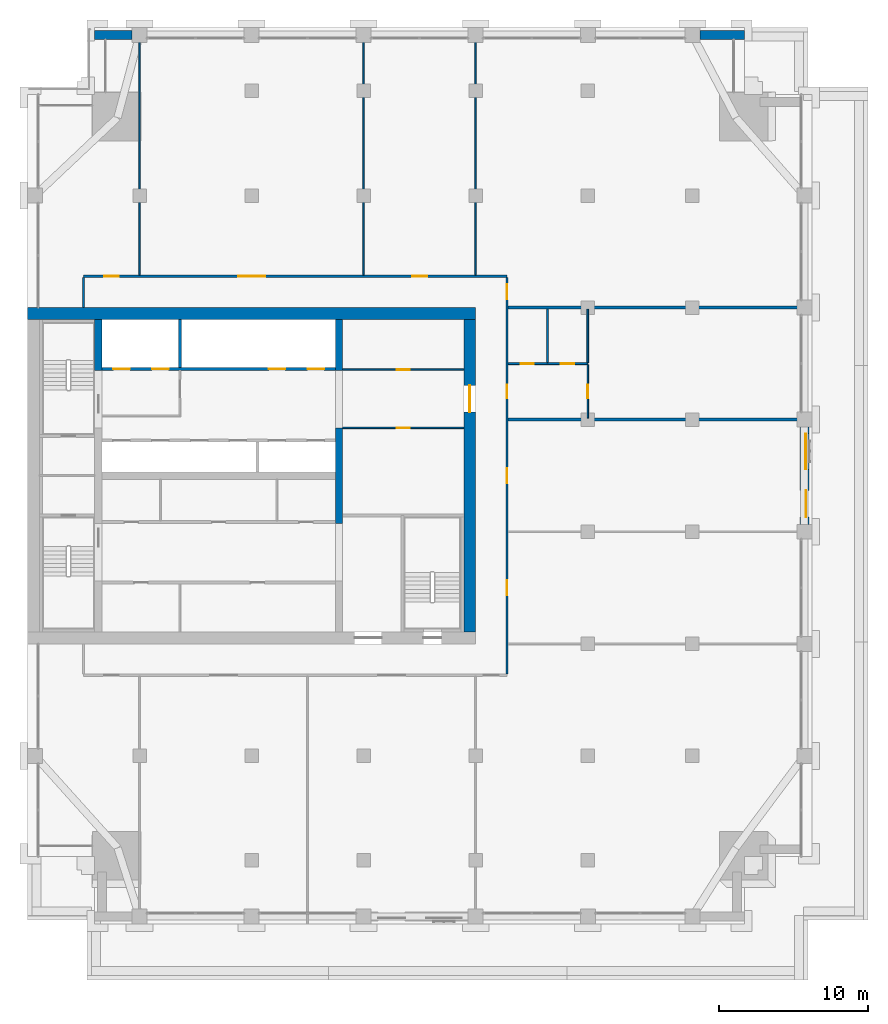
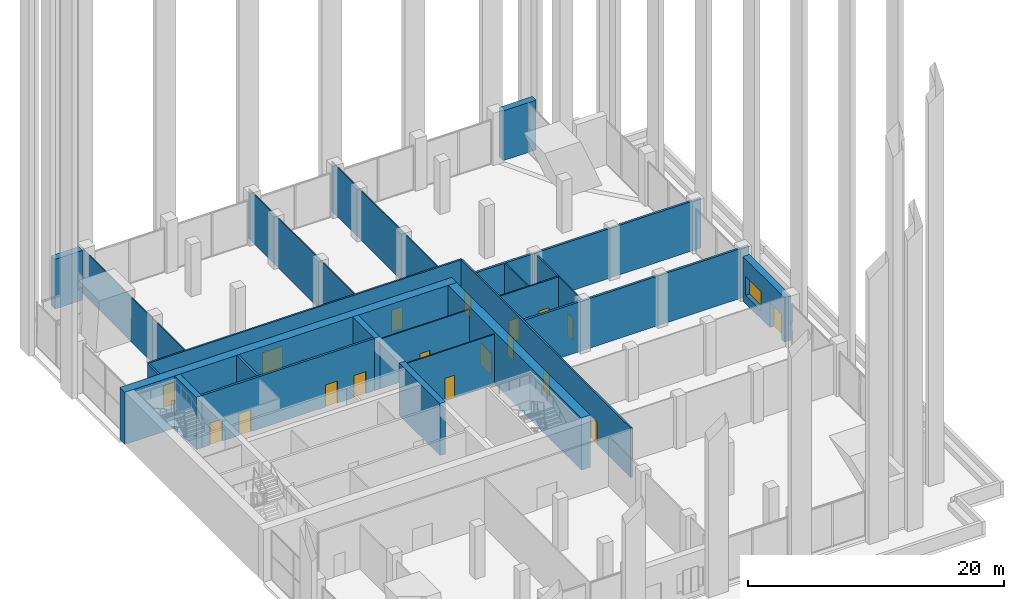
# One storey, part 12 of 19: 24 walls, 18 doors, 1 window, 19 openings.
"""IFC4 building model written with IfcOpenShell, lengths in metres."""

import ifcopenshell
import ifcopenshell.guid

model = None  # the IFC model being written
_history = None  # IfcOwnerHistory: only IFC2X3 demands one
_inside = {}  # id of a spatial element -> (the spatial element, [elements in it])
_under = {}  # id of a project, library or spatial element -> (it, [spatial elements below it])
_declared = {}  # id of a project -> (the project, [libraries it declares])
_typed = {}  # id of a type object -> (the type object, [elements of that type])
_made_of = {}  # id of a material, layer set ... -> (it, [elements and type objects made of it])


def new_model(schema):
    """Start an empty IFC model of exactly this schema.

    Asked for "IFC4X3", IfcOpenShell would pick the latest addendum, in which some entities
    have other attributes; the version numbers below select the first issue.
    IFC2X3 requires an IfcOwnerHistory on every rooted entity: one is made here for all.
    """
    global model, _history
    if schema == "IFC4X3":
        model = ifcopenshell.file(schema_version=(4, 3, 0, 0))
    else:
        model = ifcopenshell.file(schema=schema)
    _inside.clear()
    _under.clear()
    _declared.clear()
    _typed.clear()
    _made_of.clear()
    _history = None
    if model.schema == "IFC2X3":
        org = make("IfcOrganization", Name="unknown")
        user = make(
            "IfcPersonAndOrganization",
            ThePerson=make("IfcPerson", FamilyName="unknown"),
            TheOrganization=org,
        )
        app = make(
            "IfcApplication",
            ApplicationDeveloper=org,
            Version="unknown",
            ApplicationFullName="unknown",
            ApplicationIdentifier="unknown",
        )
        _history = make(
            "IfcOwnerHistory",
            OwningUser=user,
            OwningApplication=app,
            ChangeAction="ADDED",
            CreationDate=0,
        )
    return model


def make(cls, **values):
    """One entity of the class cls with the attributes given. An attribute that is None is left unset."""
    return model.create_entity(
        cls, **{name: value for name, value in values.items() if value is not None}
    )


def rooted(cls, **values):
    """An entity with a GlobalId (a new one), such as an element, a storey or a relation."""
    return make(cls, GlobalId=ifcopenshell.guid.new(), OwnerHistory=_history, **values)


def si_unit(unit_type, name, prefix=None):
    """IfcSIUnit, for example si_unit("LENGTHUNIT", "METRE", prefix="MILLI")."""
    return make("IfcSIUnit", UnitType=unit_type, Prefix=prefix, Name=name)


def assignment(units):
    """IfcUnitAssignment: the units of a project."""
    return None if units is None else make("IfcUnitAssignment", Units=units)


def point(xyz):
    """IfcCartesianPoint."""
    return None if xyz is None else make("IfcCartesianPoint", Coordinates=xyz)


def direction(xyz):
    """IfcDirection."""
    return None if xyz is None else make("IfcDirection", DirectionRatios=xyz)


def frame(location, z_axis=None, x_axis=None):
    """IfcAxis2Placement3D, a coordinate frame: its origin and axes. An axis left out is left unset."""
    return make(
        "IfcAxis2Placement3D",
        Location=point(location),
        Axis=direction(z_axis),
        RefDirection=direction(x_axis),
    )


def frame_2d(location, x_axis=None):
    """IfcAxis2Placement2D, a coordinate frame in the plane: its origin and x axis."""
    return make(
        "IfcAxis2Placement2D", Location=point(location), RefDirection=direction(x_axis)
    )


def origin():
    """The frame at (0, 0, 0) with its axes left unset."""
    return frame((0.0, 0.0, 0.0))


def place(relative_to, where):
    """IfcLocalPlacement: puts the frame where relative to a parent placement (None: the world)."""
    return make(
        "IfcLocalPlacement", PlacementRelTo=relative_to, RelativePlacement=where
    )


def context(
    kind, dimensions, precision=None, world=None, true_north=None, identifier=None
):
    """IfcGeometricRepresentationContext, for example the 3D "Model" context."""
    return make(
        "IfcGeometricRepresentationContext",
        ContextIdentifier=identifier,
        ContextType=kind,
        CoordinateSpaceDimension=dimensions,
        Precision=precision,
        WorldCoordinateSystem=world,
        TrueNorth=true_north,
    )


def subcontext(parent, identifier, kind, view, scale=None):
    """IfcGeometricRepresentationSubContext, for example "Body" below "Model"."""
    return make(
        "IfcGeometricRepresentationSubContext",
        ContextIdentifier=identifier,
        ContextType=kind,
        ParentContext=parent,
        TargetScale=scale,
        TargetView=view,
    )


def project(units=None, contexts=None):
    """IfcProject with its units and contexts."""
    return rooted(
        "IfcProject",
        Name="project",
        RepresentationContexts=contexts,
        UnitsInContext=assignment(units),
    )


def spatial(cls, under=None, at=None, **own):
    """A site, building, storey or space (cls), placed at a placement, below another one or the project."""
    s = rooted(cls, ObjectPlacement=at, **own)
    if under is not None:
        _under.setdefault(under.id(), (under, []))[1].append(s)
    return s


def profile(cls, at=None, kind="AREA", **sizes):
    """A parametric profile (cls). Its sizes go by their IFC names, for example OverallWidth=200.0."""
    return make(cls, ProfileType=kind, Position=at, **sizes)


def rectangle(**sizes):
    """IfcRectangleProfileDef."""
    return profile("IfcRectangleProfileDef", **sizes)


def extrude(swept, where, along, depth):
    """IfcExtrudedAreaSolid: the profile swept, set in the frame where, extruded along a direction by depth."""
    return make(
        "IfcExtrudedAreaSolid",
        SweptArea=swept,
        Position=where,
        ExtrudedDirection=direction(along),
        Depth=depth,
    )


def shape(context_of_items, identifier, shape_type, items):
    """IfcShapeRepresentation: the items that make up one representation, for example the "Body"."""
    return make(
        "IfcShapeRepresentation",
        ContextOfItems=context_of_items,
        RepresentationIdentifier=identifier,
        RepresentationType=shape_type,
        Items=items,
    )


def material(Name=None, Category=None):
    """IfcMaterial."""
    return make("IfcMaterial", Name=Name, Category=Category)


def layer(
    of_material, thickness, ventilated=None, Name=None, Category=None, Priority=None
):
    """IfcMaterialLayer: one layer of a wall or slab, of a material (None: an air gap)."""
    return make(
        "IfcMaterialLayer",
        Material=of_material,
        LayerThickness=thickness,
        IsVentilated=ventilated,
        Name=Name,
        Category=Category,
        Priority=Priority,
    )


def layer_set(layers, Name=None):
    """IfcMaterialLayerSet."""
    return make("IfcMaterialLayerSet", MaterialLayers=layers, LayerSetName=Name)


def made_of(thing, what):
    """Note that an element or type object is made of a material, layer set ...; save() writes the relation."""
    if what is not None:
        _made_of.setdefault(what.id(), (what, []))[1].append(thing)
    return thing


def type_object(cls, material=None, **own):
    """A type object (cls), such as IfcWallType, which elements share."""
    return made_of(rooted(cls, **own), material)


def element(
    cls,
    number,
    at=None,
    inside=None,
    cuts=None,
    type_object=None,
    material=None,
    context=None,
    identifier="Body",
    shape_type=None,
    held_by="IfcProductDefinitionShape",
    body=None,
    shapes=None,
    **own,
):
    """One element of the class cls, such as IfcWall. Its Tag is "e" and its number.

    at: its placement. inside: the storey or other place that contains it. cuts: it is an
    opening in that element (IfcRelVoidsElement). A single representation is given by context,
    identifier, shape_type and body (its items); several are given by shapes. held_by: the class
    of the entity that holds the representations. save() writes the other relations.
    """
    e = rooted(cls, Tag="e%d" % number, ObjectPlacement=at, **own)
    if body is not None:
        shapes = [shape(context, identifier, shape_type, body)]
    if shapes is not None:
        e.Representation = make(held_by, Representations=shapes)
    if inside is not None:
        _inside.setdefault(inside.id(), (inside, []))[1].append(e)
    if cuts is not None:
        rooted(
            "IfcRelVoidsElement", RelatingBuildingElement=cuts, RelatedOpeningElement=e
        )
    if type_object is not None:
        _typed.setdefault(type_object.id(), (type_object, []))[1].append(e)
    return made_of(e, material)


def fill(opening, filler):
    """IfcRelFillsElement: the door or window that sits in an opening."""
    return rooted(
        "IfcRelFillsElement",
        RelatingOpeningElement=opening,
        RelatedBuildingElement=filler,
    )


def aggregate(whole, parts):
    """IfcRelAggregates: a whole, such as a stair, and the parts it consists of."""
    return rooted("IfcRelAggregates", RelatingObject=whole, RelatedObjects=parts)


def save(model, path):
    """Write the relations noted so far, then the file.

    IfcRelAggregates (storeys below a building ...), IfcRelContainedInSpatialStructure (elements
    in a storey), IfcRelDefinesByType, IfcRelAssociatesMaterial and IfcRelDeclares: one each for
    every whole, place, type object, material and project.
    """
    for whole, parts in _under.values():
        aggregate(whole, parts)
    for where, things in _inside.values():
        rooted(
            "IfcRelContainedInSpatialStructure",
            RelatedElements=things,
            RelatingStructure=where,
        )
    for kind, things in _typed.values():
        rooted("IfcRelDefinesByType", RelatedObjects=things, RelatingType=kind)
    for what, things in _made_of.values():
        rooted("IfcRelAssociatesMaterial", RelatedObjects=things, RelatingMaterial=what)
    for by, libraries in _declared.values():
        rooted("IfcRelDeclares", RelatingContext=by, RelatedDefinitions=libraries)
    model.write(path)


model = new_model("IFC4")

# Units and contexts
model_context = context("Model", 3, precision=1e-05, world=origin(), true_north=direction((0.0, 1.0)))
body_context = subcontext(model_context, "Body", "Model", "MODEL_VIEW")
ifc_project = project(units=[si_unit("LENGTHUNIT", "METRE"), si_unit("AREAUNIT", "SQUARE_METRE"), si_unit("VOLUMEUNIT", "CUBIC_METRE"), si_unit("PLANEANGLEUNIT", "RADIAN"), si_unit("MASSUNIT", "GRAM", prefix="KILO")], contexts=[model_context])

# Site, building, storey
site_placement = place(None, origin())
site = spatial("IfcSite", under=ifc_project, at=site_placement, CompositionType="ELEMENT")
building_placement = place(site_placement, origin())
building = spatial("IfcBuilding", under=site, at=building_placement, Name="Tamorin Gate", CompositionType="ELEMENT")
storey_placement = place(building_placement, frame((0.0, 0.0, 174.199951171875)))
storey = spatial("IfcBuildingStorey", under=building, at=storey_placement, Name="L42", CompositionType="ELEMENT", Elevation=174.199951171875)

# Wall, openings, window, door
ifc_material_1 = material(Name="Precast concrete C40/50", Category="concrete")
ifc_layer_1 = layer(ifc_material_1, 0.60009765625)
ifc_layer_set_1 = layer_set([ifc_layer_1], Name="Precast concrete C40/50")
wall_type_1 = type_object("IfcWallType", Name="Board-marked concrete facade panel 600", PredefinedType="SOLIDWALL", material=ifc_layer_set_1)
wall_1_placement = place(storey_placement, frame((82.0, 68.0, 0.0), z_axis=(0.0, 0.0, 1.0), x_axis=(0.0, 1.0, 0.0)))
wall_1 = element("IfcWall", 1, at=wall_1_placement, inside=storey, type_object=wall_type_1, Name="Facade panel", PredefinedType="SOLIDWALL", context=body_context, shape_type="SweptSolid", body=[
    extrude(rectangle(XDim=6.5, YDim=0.60009765625, at=frame_2d((3.25, 0.0))), origin(), (0.0, 0.0, 1.0), 4.25),
])
opening_1_placement = place(wall_1_placement, frame((0.47509765625, 0.0, 0.0)))
opening_1 = element("IfcOpeningElement", 2, at=opening_1_placement, cuts=wall_1, Name="Opening DX1", PredefinedType="OPENING", context=body_context, shape_type="SweptSolid", body=[
    extrude(rectangle(XDim=1.800048828125, YDim=2.39990234375, at=frame_2d((0.89990234375, 1.199951171875))), frame((0.0, 0.31005859375, 0.0), z_axis=(0.0, -1.0, 0.0), x_axis=(1.0, 0.0, 0.0)), (0.0, 0.0, 1.0), 0.6201171875),
])
opening_2_placement = place(wall_1_placement, frame((3.675048828125, 0.0, 0.800048828125)))
opening_2 = element("IfcOpeningElement", 3, at=opening_2_placement, cuts=wall_1, Name="Opening WN1", PredefinedType="OPENING", context=body_context, shape_type="SweptSolid", body=[
    extrude(rectangle(XDim=2.39990234375, YDim=1.800048828125, at=frame_2d((1.199951171875, 0.89990234375))), frame((0.0, 0.31005859375, 0.0), z_axis=(0.0, -1.0, 0.0), x_axis=(1.0, 0.0, 0.0)), (0.0, 0.0, 1.0), 0.6201171875),
])
ifc_material_2 = material(Name="Clear glass in aluminium frame", Category="aluminium")
window_type = type_object("IfcWindowType", Name="Deep-set window 2400x1800", PartitioningType="SINGLE_PANEL", PredefinedType="WINDOW", material=ifc_material_2)
window_placement = place(opening_2_placement, origin())
window = element("IfcWindow", 4, at=window_placement, inside=storey, type_object=window_type, Name="Deep-set window", OverallHeight=1.800048828125, OverallWidth=2.39990234375, PartitioningType="SINGLE_PANEL", PredefinedType="WINDOW", context=body_context, shape_type="SweptSolid", body=[
    extrude(rectangle(XDim=2.39990234375, YDim=1.800048828125, at=frame_2d((1.199951171875, 0.89990234375))), frame((0.0, -0.070068359375, 0.0), z_axis=(0.0, -1.0, 0.0), x_axis=(1.0, 0.0, 0.0)), (0.0, 0.0, 1.0), 0.06005859375),
])
fill(opening_2, window)
door_type_1 = type_object("IfcDoorType", Name="Terrace door 1800x2400", OperationType="DOUBLE_DOOR_SINGLE_SWING", PredefinedType="DOOR", material=ifc_material_2)
door_1_placement = place(opening_1_placement, origin())
door_1 = element("IfcDoor", 5, at=door_1_placement, inside=storey, type_object=door_type_1, Name="Terrace door", OperationType="SINGLE_SWING_LEFT", OverallHeight=2.39990234375, OverallWidth=1.800048828125, PredefinedType="DOOR", context=body_context, shape_type="SweptSolid", body=[
    extrude(rectangle(XDim=1.800048828125, YDim=2.39990234375, at=frame_2d((0.89990234375, 1.199951171875))), frame((0.0, -0.0751953125, 0.0), z_axis=(0.0, -1.0, 0.0), x_axis=(1.0, 0.0, 0.0)), (0.0, 0.0, 1.0), 0.050048828125),
])
fill(opening_1, door_1)

# Walls
wall_2_placement = place(storey_placement, frame((78.0, 100.75, 0.0), z_axis=(0.0, 0.0, 1.0), x_axis=(-1.0, 0.0, 0.0)))
element("IfcWall", 6, at=wall_2_placement, inside=storey, type_object=wall_type_1, Name="Facade panel", PredefinedType="SOLIDWALL", context=body_context, shape_type="SweptSolid", body=[
    extrude(rectangle(XDim=3.0, YDim=0.60009765625, at=frame_2d((1.5, 0.0))), origin(), (0.0, 0.0, 1.0), 4.75),
])
wall_3_placement = place(storey_placement, frame((37.0, 100.75, 0.0), z_axis=(0.0, 0.0, 1.0), x_axis=(-1.0, 0.0, 0.0)))
element("IfcWall", 7, at=wall_3_placement, inside=storey, type_object=wall_type_1, Name="Facade panel", PredefinedType="SOLIDWALL", context=body_context, shape_type="SweptSolid", body=[
    extrude(rectangle(XDim=2.5, YDim=0.60009765625, at=frame_2d((1.25, 0.0))), origin(), (0.0, 0.0, 1.0), 4.75),
])

# Wall, openings, doors
ifc_material_3 = material(Name="Gypsum board partition")
ifc_layer_2 = layer(ifc_material_3, 0.14990234375)
ifc_layer_set_2 = layer_set([ifc_layer_2], Name="Corridor wall 150")
wall_type_2 = type_object("IfcWallType", Name="Corridor wall 150", PredefinedType="PARTITIONING", material=ifc_layer_set_2)
wall_4_placement = place(storey_placement, frame((33.75, 84.60009765625, 0.0), z_axis=(0.0, 0.0, 1.0), x_axis=(1.0, 0.0, 0.0)))
wall_4 = element("IfcWall", 8, at=wall_4_placement, inside=storey, type_object=wall_type_2, Name="Corridor wall 150", PredefinedType="PARTITIONING", context=body_context, shape_type="SweptSolid", body=[
    extrude(rectangle(XDim=28.35009765625, YDim=0.14990234375, at=frame_2d((14.175048828125, 0.0))), origin(), (0.0, 0.0, 1.0), 4.75),
])
opening_3_placement = place(wall_4_placement, frame((1.375, 0.0, 0.0)))
opening_3 = element("IfcOpeningElement", 9, at=opening_3_placement, cuts=wall_4, Name="Opening DRS1005", PredefinedType="OPENING", context=body_context, shape_type="SweptSolid", body=[
    extrude(rectangle(XDim=1.0, YDim=2.10009765625, at=frame_2d((0.5, 1.050048828125))), frame((0.0, 0.0849609375, 0.0), z_axis=(0.0, -1.0, 0.0), x_axis=(1.0, 0.0, 0.0)), (0.0, 0.0, 1.0), 0.169921875),
])
opening_4_placement = place(wall_4_placement, frame((10.35009765625, 0.0, 0.0)))
opening_4 = element("IfcOpeningElement", 10, at=opening_4_placement, cuts=wall_4, Name="Opening DRS1006", PredefinedType="OPENING", context=body_context, shape_type="SweptSolid", body=[
    extrude(rectangle(XDim=1.800048828125, YDim=2.10009765625, at=frame_2d((0.89990234375, 1.050048828125))), frame((0.0, 0.0849609375, 0.0), z_axis=(0.0, -1.0, 0.0), x_axis=(1.0, 0.0, 0.0)), (0.0, 0.0, 1.0), 0.169921875),
])
opening_5_placement = place(wall_4_placement, frame((22.0, 0.0, 0.0)))
opening_5 = element("IfcOpeningElement", 11, at=opening_5_placement, cuts=wall_4, Name="Opening DRS1007", PredefinedType="OPENING", context=body_context, shape_type="SweptSolid", body=[
    extrude(rectangle(XDim=1.0, YDim=2.10009765625, at=frame_2d((0.5, 1.050048828125))), frame((0.0, 0.0849609375, 0.0), z_axis=(0.0, -1.0, 0.0), x_axis=(1.0, 0.0, 0.0)), (0.0, 0.0, 1.0), 0.169921875),
])
ifc_material_4 = material(Name="Timber door leaf", Category="wood")
door_type_2 = type_object("IfcDoorType", Name="Door 1000 x 2100 FD30S", OperationType="NOTDEFINED", PredefinedType="DOOR", material=ifc_material_4)
door_2_placement = place(opening_3_placement, origin())
door_2 = element("IfcDoor", 12, at=door_2_placement, inside=storey, type_object=door_type_2, Name="Door DRS1005", OperationType="SINGLE_SWING_LEFT", OverallHeight=2.10009765625, OverallWidth=1.0, PredefinedType="DOOR", context=body_context, shape_type="SweptSolid", body=[
    extrude(rectangle(XDim=1.0, YDim=2.10009765625, at=frame_2d((0.5, 1.050048828125))), frame((0.0, 0.02490234375, 0.0), z_axis=(0.0, -1.0, 0.0), x_axis=(1.0, 0.0, 0.0)), (0.0, 0.0, 1.0), 0.050048828125),
])
fill(opening_3, door_2)
door_3_placement = place(opening_5_placement, origin())
door_3 = element("IfcDoor", 13, at=door_3_placement, inside=storey, type_object=door_type_2, Name="Door DRS1007", OperationType="SINGLE_SWING_LEFT", OverallHeight=2.10009765625, OverallWidth=1.0, PredefinedType="DOOR", context=body_context, shape_type="SweptSolid", body=[
    extrude(rectangle(XDim=1.0, YDim=2.10009765625, at=frame_2d((0.5, 1.050048828125))), frame((0.0, 0.02490234375, 0.0), z_axis=(0.0, -1.0, 0.0), x_axis=(1.0, 0.0, 0.0)), (0.0, 0.0, 1.0), 0.050048828125),
])
fill(opening_5, door_3)
door_type_3 = type_object("IfcDoorType", Name="Door 1800 x 2100 FD30S", OperationType="DOUBLE_DOOR_SINGLE_SWING", PredefinedType="DOOR", material=ifc_material_4)
door_4_placement = place(opening_4_placement, origin())
door_4 = element("IfcDoor", 14, at=door_4_placement, inside=storey, type_object=door_type_3, Name="Door DRS1006", OperationType="DOUBLE_DOOR_SINGLE_SWING", OverallHeight=2.10009765625, OverallWidth=1.800048828125, PredefinedType="DOOR", context=body_context, shape_type="SweptSolid", body=[
    extrude(rectangle(XDim=1.800048828125, YDim=2.10009765625, at=frame_2d((0.89990234375, 1.050048828125))), frame((0.0, 0.02490234375, 0.0), z_axis=(0.0, -1.0, 0.0), x_axis=(1.0, 0.0, 0.0)), (0.0, 0.0, 1.0), 0.050048828125),
])
fill(opening_4, door_4)

# Wall
wall_5_placement = place(storey_placement, frame((33.75, 82.5, 0.0), z_axis=(0.0, 0.0, 1.0), x_axis=(0.0, 1.0, 0.0)))
element("IfcWall", 15, at=wall_5_placement, inside=storey, type_object=wall_type_2, Name="Corridor wall 150", PredefinedType="PARTITIONING", context=body_context, shape_type="SweptSolid", body=[
    extrude(rectangle(XDim=2.02490234375, YDim=0.14990234375, at=frame_2d((1.012451171875, 0.0))), origin(), (0.0, 0.0, 1.0), 4.75),
])

# Wall, openings, doors
wall_6_placement = place(storey_placement, frame((62.10009765625, 57.97509765625, 0.0), z_axis=(0.0, 0.0, 1.0), x_axis=(0.0, 1.0, 0.0)))
wall_6 = element("IfcWall", 16, at=wall_6_placement, inside=storey, type_object=wall_type_2, Name="Corridor wall 150", PredefinedType="PARTITIONING", context=body_context, shape_type="SweptSolid", body=[
    extrude(rectangle(XDim=26.5498046875, YDim=0.14990234375, at=frame_2d((13.27490234375, 0.0))), origin(), (0.0, 0.0, 1.0), 4.75),
])
opening_6_placement = place(wall_6_placement, frame((25.074951171875, 0.0, 0.0)))
opening_6 = element("IfcOpeningElement", 17, at=opening_6_placement, cuts=wall_6, Name="Opening DRS1008", PredefinedType="OPENING", context=body_context, shape_type="SweptSolid", body=[
    extrude(rectangle(XDim=1.0, YDim=2.10009765625, at=frame_2d((0.5, 1.050048828125))), frame((0.0, 0.0849609375, 0.0), z_axis=(0.0, -1.0, 0.0), x_axis=(1.0, 0.0, 0.0)), (0.0, 0.0, 1.0), 0.169921875),
])
opening_7_placement = place(wall_6_placement, frame((5.27490234375, 0.0, 0.0)))
opening_7 = element("IfcOpeningElement", 18, at=opening_7_placement, cuts=wall_6, Name="Opening DRS1009", PredefinedType="OPENING", context=body_context, shape_type="SweptSolid", body=[
    extrude(rectangle(XDim=1.0, YDim=2.10009765625, at=frame_2d((0.5, 1.050048828125))), frame((0.0, 0.0849609375, 0.0), z_axis=(0.0, -1.0, 0.0), x_axis=(1.0, 0.0, 0.0)), (0.0, 0.0, 1.0), 0.169921875),
])
opening_8_placement = place(wall_6_placement, frame((12.77490234375, 0.0, 0.0)))
opening_8 = element("IfcOpeningElement", 19, at=opening_8_placement, cuts=wall_6, Name="Opening DRS1010", PredefinedType="OPENING", context=body_context, shape_type="SweptSolid", body=[
    extrude(rectangle(XDim=1.0, YDim=2.10009765625, at=frame_2d((0.5, 1.050048828125))), frame((0.0, 0.0849609375, 0.0), z_axis=(0.0, -1.0, 0.0), x_axis=(1.0, 0.0, 0.0)), (0.0, 0.0, 1.0), 0.169921875),
])
opening_9_placement = place(wall_6_placement, frame((18.449951171875, 0.0, 0.0)))
opening_9 = element("IfcOpeningElement", 20, at=opening_9_placement, cuts=wall_6, Name="Opening DRS1011", PredefinedType="OPENING", context=body_context, shape_type="SweptSolid", body=[
    extrude(rectangle(XDim=0.89990234375, YDim=2.10009765625, at=frame_2d((0.449951171875, 1.050048828125))), frame((0.0, 0.0849609375, 0.0), z_axis=(0.0, -1.0, 0.0), x_axis=(1.0, 0.0, 0.0)), (0.0, 0.0, 1.0), 0.169921875),
])
door_5_placement = place(opening_6_placement, origin())
door_5 = element("IfcDoor", 21, at=door_5_placement, inside=storey, type_object=door_type_2, Name="Door DRS1008", OperationType="SINGLE_SWING_RIGHT", OverallHeight=2.10009765625, OverallWidth=1.0, PredefinedType="DOOR", context=body_context, shape_type="SweptSolid", body=[
    extrude(rectangle(XDim=1.0, YDim=2.10009765625, at=frame_2d((0.5, 1.050048828125))), frame((0.0, 0.02490234375, 0.0), z_axis=(0.0, -1.0, 0.0), x_axis=(1.0, 0.0, 0.0)), (0.0, 0.0, 1.0), 0.050048828125),
])
fill(opening_6, door_5)
door_6_placement = place(opening_7_placement, origin())
door_6 = element("IfcDoor", 22, at=door_6_placement, inside=storey, type_object=door_type_2, Name="Door DRS1009", OperationType="SINGLE_SWING_RIGHT", OverallHeight=2.10009765625, OverallWidth=1.0, PredefinedType="DOOR", context=body_context, shape_type="SweptSolid", body=[
    extrude(rectangle(XDim=1.0, YDim=2.10009765625, at=frame_2d((0.5, 1.050048828125))), frame((0.0, 0.02490234375, 0.0), z_axis=(0.0, -1.0, 0.0), x_axis=(1.0, 0.0, 0.0)), (0.0, 0.0, 1.0), 0.050048828125),
])
fill(opening_7, door_6)
door_7_placement = place(opening_8_placement, origin())
door_7 = element("IfcDoor", 23, at=door_7_placement, inside=storey, type_object=door_type_2, Name="Door DRS1010", OperationType="SINGLE_SWING_RIGHT", OverallHeight=2.10009765625, OverallWidth=1.0, PredefinedType="DOOR", context=body_context, shape_type="SweptSolid", body=[
    extrude(rectangle(XDim=1.0, YDim=2.10009765625, at=frame_2d((0.5, 1.050048828125))), frame((0.0, 0.02490234375, 0.0), z_axis=(0.0, -1.0, 0.0), x_axis=(1.0, 0.0, 0.0)), (0.0, 0.0, 1.0), 0.050048828125),
])
fill(opening_8, door_7)
door_type_4 = type_object("IfcDoorType", Name="Door 900 x 2100 FD30S", OperationType="NOTDEFINED", PredefinedType="DOOR", material=ifc_material_4)
door_8_placement = place(opening_9_placement, origin())
door_8 = element("IfcDoor", 24, at=door_8_placement, inside=storey, type_object=door_type_4, Name="Door DRS1011", OperationType="SINGLE_SWING_RIGHT", OverallHeight=2.10009765625, OverallWidth=0.89990234375, PredefinedType="DOOR", context=body_context, shape_type="SweptSolid", body=[
    extrude(rectangle(XDim=0.89990234375, YDim=2.10009765625, at=frame_2d((0.449951171875, 1.050048828125))), frame((0.0, 0.02490234375, 0.0), z_axis=(0.0, -1.0, 0.0), x_axis=(1.0, 0.0, 0.0)), (0.0, 0.0, 1.0), 0.050048828125),
])
fill(opening_9, door_8)

# Walls
ifc_layer_3 = layer(ifc_material_3, 0.199951171875)
ifc_layer_set_3 = layer_set([ifc_layer_3], Name="Demising wall 200")
wall_type_3 = type_object("IfcWallType", Name="Demising wall 200", PredefinedType="PARTITIONING", material=ifc_layer_set_3)
for number, where, z_axis, x_axis, name in (
    (25, (62.175048828125, 75.0, 0.0), (0.0, 0.0, 1.0), (1.0, 0.0, 0.0), "Demising wall 200"),
    (26, (62.175048828125, 82.5, 0.0), (0.0, 0.0, 1.0), (1.0, 0.0, 0.0), "Demising wall 200"),
):
    element("IfcWall", number, at=place(storey_placement, frame(where, z_axis=z_axis, x_axis=x_axis)), inside=storey, type_object=wall_type_3, Name=name, PredefinedType="PARTITIONING", context=body_context, shape_type="SweptSolid", body=[
        extrude(rectangle(XDim=20.324951171875, YDim=0.199951171875, at=frame_2d((10.16259765625, 0.0))), origin(), (0.0, 0.0, 1.0), 4.75),
    ])

# Wall, openings, doors
ifc_material_5 = material(Name="Concrete C32/40", Category="concrete")
ifc_layer_4 = layer(ifc_material_5, 0.199951171875)
ifc_layer_set_4 = layer_set([ifc_layer_4], Name="Lift lobby face wall 200 EI 120")
wall_type_4 = type_object("IfcWallType", Name="Lift lobby face wall 200 EI 120", PredefinedType="SOLIDWALL", material=ifc_layer_set_4)
wall_7_placement = place(storey_placement, frame((35.0, 78.39990234375, 0.0), z_axis=(0.0, 0.0, 1.0), x_axis=(1.0, 0.0, 0.0)))
wall_7 = element("IfcWall", 27, at=wall_7_placement, inside=storey, type_object=wall_type_4, Name="Lift lobby face wall", PredefinedType="SOLIDWALL", context=body_context, shape_type="SweptSolid", body=[
    extrude(rectangle(XDim=15.60009765625, YDim=0.199951171875, at=frame_2d((7.800048828125, 0.0))), origin(), (0.0, 0.0, 1.0), 5.0),
])
opening_10_placement = place(wall_7_placement, frame((0.75, 0.0, 0.0)))
opening_10 = element("IfcOpeningElement", 28, at=opening_10_placement, cuts=wall_7, Name="Opening LD17", PredefinedType="OPENING", context=body_context, shape_type="SweptSolid", body=[
    extrude(rectangle(XDim=1.10009765625, YDim=2.10009765625, at=frame_2d((0.550048828125, 1.050048828125))), frame((0.0, 0.10986328125, 0.0), z_axis=(0.0, -1.0, 0.0), x_axis=(1.0, 0.0, 0.0)), (0.0, 0.0, 1.0), 0.219970703125),
])
opening_11_placement = place(wall_7_placement, frame((3.35009765625, 0.0, 0.0)))
opening_11 = element("IfcOpeningElement", 29, at=opening_11_placement, cuts=wall_7, Name="Opening LD18", PredefinedType="OPENING", context=body_context, shape_type="SweptSolid", body=[
    extrude(rectangle(XDim=1.10009765625, YDim=2.10009765625, at=frame_2d((0.550048828125, 1.050048828125))), frame((0.0, 0.10986328125, 0.0), z_axis=(0.0, -1.0, 0.0), x_axis=(1.0, 0.0, 0.0)), (0.0, 0.0, 1.0), 0.219970703125),
])
opening_12_placement = place(wall_7_placement, frame((11.14990234375, 0.0, 0.0)))
opening_12 = element("IfcOpeningElement", 30, at=opening_12_placement, cuts=wall_7, Name="Opening LD21", PredefinedType="OPENING", context=body_context, shape_type="SweptSolid", body=[
    extrude(rectangle(XDim=1.10009765625, YDim=2.10009765625, at=frame_2d((0.550048828125, 1.050048828125))), frame((0.0, 0.10986328125, 0.0), z_axis=(0.0, -1.0, 0.0), x_axis=(1.0, 0.0, 0.0)), (0.0, 0.0, 1.0), 0.219970703125),
])
opening_13_placement = place(wall_7_placement, frame((13.75, 0.0, 0.0)))
opening_13 = element("IfcOpeningElement", 31, at=opening_13_placement, cuts=wall_7, Name="Opening LD22", PredefinedType="OPENING", context=body_context, shape_type="SweptSolid", body=[
    extrude(rectangle(XDim=1.10009765625, YDim=2.10009765625, at=frame_2d((0.550048828125, 1.050048828125))), frame((0.0, 0.10986328125, 0.0), z_axis=(0.0, -1.0, 0.0), x_axis=(1.0, 0.0, 0.0)), (0.0, 0.0, 1.0), 0.219970703125),
])
ifc_material_6 = material(Name="Stainless steel sliding door", Category="steel")
door_type_5 = type_object("IfcDoorType", Name="Lift landing door 1100 x 2100 E 90", OperationType="DOUBLE_DOOR_SLIDING", PredefinedType="DOOR", material=ifc_material_6)
door_9_placement = place(opening_10_placement, origin())
door_9 = element("IfcDoor", 32, at=door_9_placement, inside=storey, type_object=door_type_5, Name="FF1 landing door", OperationType="DOUBLE_DOOR_SLIDING", OverallHeight=2.10009765625, OverallWidth=1.10009765625, PredefinedType="DOOR", context=body_context, shape_type="SweptSolid", body=[
    extrude(rectangle(XDim=1.10009765625, YDim=2.10009765625, at=frame_2d((0.550048828125, 1.050048828125))), frame((0.0, 0.02490234375, 0.0), z_axis=(0.0, -1.0, 0.0), x_axis=(1.0, 0.0, 0.0)), (0.0, 0.0, 1.0), 0.050048828125),
])
fill(opening_10, door_9)
door_10_placement = place(opening_11_placement, origin())
door_10 = element("IfcDoor", 33, at=door_10_placement, inside=storey, type_object=door_type_5, Name="FF2 landing door", OperationType="DOUBLE_DOOR_SLIDING", OverallHeight=2.10009765625, OverallWidth=1.10009765625, PredefinedType="DOOR", context=body_context, shape_type="SweptSolid", body=[
    extrude(rectangle(XDim=1.10009765625, YDim=2.10009765625, at=frame_2d((0.550048828125, 1.050048828125))), frame((0.0, 0.02490234375, 0.0), z_axis=(0.0, -1.0, 0.0), x_axis=(1.0, 0.0, 0.0)), (0.0, 0.0, 1.0), 0.050048828125),
])
fill(opening_11, door_10)
door_11_placement = place(opening_12_placement, origin())
door_11 = element("IfcDoor", 34, at=door_11_placement, inside=storey, type_object=door_type_5, Name="SV1 landing door", OperationType="DOUBLE_DOOR_SLIDING", OverallHeight=2.10009765625, OverallWidth=1.10009765625, PredefinedType="DOOR", context=body_context, shape_type="SweptSolid", body=[
    extrude(rectangle(XDim=1.10009765625, YDim=2.10009765625, at=frame_2d((0.550048828125, 1.050048828125))), frame((0.0, 0.02490234375, 0.0), z_axis=(0.0, -1.0, 0.0), x_axis=(1.0, 0.0, 0.0)), (0.0, 0.0, 1.0), 0.050048828125),
])
fill(opening_12, door_11)
door_12_placement = place(opening_13_placement, origin())
door_12 = element("IfcDoor", 35, at=door_12_placement, inside=storey, type_object=door_type_5, Name="SV2 landing door", OperationType="DOUBLE_DOOR_SLIDING", OverallHeight=2.10009765625, OverallWidth=1.10009765625, PredefinedType="DOOR", context=body_context, shape_type="SweptSolid", body=[
    extrude(rectangle(XDim=1.10009765625, YDim=2.10009765625, at=frame_2d((0.550048828125, 1.050048828125))), frame((0.0, 0.02490234375, 0.0), z_axis=(0.0, -1.0, 0.0), x_axis=(1.0, 0.0, 0.0)), (0.0, 0.0, 1.0), 0.050048828125),
])
fill(opening_13, door_12)

# Walls
ifc_layer_5 = layer(ifc_material_5, 0.199951171875)
ifc_layer_set_5 = layer_set([ifc_layer_5], Name="Lift shaft wall 200 EI 120")
wall_type_5 = type_object("IfcWallType", Name="Lift shaft wall 200 EI 120", PredefinedType="SOLIDWALL", material=ifc_layer_set_5)
wall_8_placement = place(storey_placement, frame((40.199951171875, 78.5, 0.0), z_axis=(0.0, 0.0, 1.0), x_axis=(0.0, 1.0, 0.0)))
element("IfcWall", 36, at=wall_8_placement, inside=storey, type_object=wall_type_5, Name="Lift shaft wall", PredefinedType="SOLIDWALL", context=body_context, shape_type="SweptSolid", body=[
    extrude(rectangle(XDim=3.199951171875, YDim=0.199951171875, at=frame_2d((1.60009765625, 0.0))), origin(), (0.0, 0.0, 1.0), 5.0),
])
ifc_material_7 = material(Name="Concrete C60/75", Category="concrete")
ifc_layer_6 = layer(ifc_material_7, 0.5)
ifc_layer_set_6 = layer_set([ifc_layer_6], Name="RC core internal wall 500 C60/75")
wall_type_6 = type_object("IfcWallType", Name="RC core internal wall 500 C60/75", PredefinedType="SHEAR", material=ifc_layer_set_6)
wall_9_placement = place(storey_placement, frame((34.75, 78.300048828125, 0.0), z_axis=(0.0, 0.0, 1.0), x_axis=(0.0, 1.0, 0.0)))
element("IfcWall", 37, at=wall_9_placement, inside=storey, type_object=wall_type_6, Name="Core cross wall L42", PredefinedType="SHEAR", context=body_context, shape_type="SweptSolid", body=[
    extrude(rectangle(XDim=3.39990234375, YDim=0.5, at=frame_2d((1.699951171875, 0.0))), origin(), (0.0, 0.0, 1.0), 5.0),
])
wall_10_placement = place(storey_placement, frame((50.85009765625, 68.050048828125, 0.0), z_axis=(0.0, 0.0, 1.0), x_axis=(0.0, 1.0, 0.0)))
element("IfcWall", 38, at=wall_10_placement, inside=storey, type_object=wall_type_6, Name="Core cross wall L42", PredefinedType="SHEAR", context=body_context, shape_type="SweptSolid", body=[
    extrude(rectangle(XDim=6.39990234375, YDim=0.5, at=frame_2d((3.199951171875, 0.0))), origin(), (0.0, 0.0, 1.0), 5.0),
])
wall_11_placement = place(storey_placement, frame((50.85009765625, 78.300048828125, 0.0), z_axis=(0.0, 0.0, 1.0), x_axis=(0.0, 1.0, 0.0)))
element("IfcWall", 39, at=wall_11_placement, inside=storey, type_object=wall_type_6, Name="Core cross wall L42", PredefinedType="SHEAR", context=body_context, shape_type="SweptSolid", body=[
    extrude(rectangle(XDim=3.39990234375, YDim=0.5, at=frame_2d((1.699951171875, 0.0))), origin(), (0.0, 0.0, 1.0), 5.0),
])
ifc_layer_7 = layer(ifc_material_7, 0.800048828125)
ifc_layer_set_7 = layer_set([ifc_layer_7], Name="RC core wall 800 C60/75")
wall_type_7 = type_object("IfcWallType", Name="RC core wall 800 C60/75", PredefinedType="SHEAR", material=ifc_layer_set_7)
wall_12_placement = place(storey_placement, frame((30.0, 82.10009765625, 0.0), z_axis=(0.0, 0.0, 1.0), x_axis=(1.0, 0.0, 0.0)))
element("IfcWall", 40, at=wall_12_placement, inside=storey, type_object=wall_type_7, Name="Core wall L42", PredefinedType="SHEAR", context=body_context, shape_type="SweptSolid", body=[
    extrude(rectangle(XDim=30.0, YDim=0.800048828125, at=frame_2d((15.0, 0.0))), origin(), (0.0, 0.0, 1.0), 5.0),
])

# Wall, opening, door
wall_13_placement = place(storey_placement, frame((59.60009765625, 60.800048828125, 0.0), z_axis=(0.0, 0.0, 1.0), x_axis=(0.0, 1.0, 0.0)))
wall_13 = element("IfcWall", 41, at=wall_13_placement, inside=storey, type_object=wall_type_7, Name="Core wall L42", PredefinedType="SHEAR", context=body_context, shape_type="SweptSolid", body=[
    extrude(rectangle(XDim=20.89990234375, YDim=0.800048828125, at=frame_2d((10.449951171875, 0.0))), origin(), (0.0, 0.0, 1.0), 5.0),
])
opening_14_placement = place(wall_13_placement, frame((14.699951171875, 0.0, 0.0)))
opening_14 = element("IfcOpeningElement", 42, at=opening_14_placement, cuts=wall_13, Name="Opening DE1", PredefinedType="OPENING", context=body_context, shape_type="SweptSolid", body=[
    extrude(rectangle(XDim=1.800048828125, YDim=2.10009765625, at=frame_2d((0.89990234375, 1.050048828125))), frame((0.0, 0.409912109375, 0.0), z_axis=(0.0, -1.0, 0.0), x_axis=(1.0, 0.0, 0.0)), (0.0, 0.0, 1.0), 0.820068359375),
])
ifc_material_8 = material(Name="Steel fire door", Category="steel")
door_type_6 = type_object("IfcDoorType", Name="Lobby exit double door 1800 x 2100 EI 60", OperationType="DOUBLE_DOOR_SINGLE_SWING", PredefinedType="DOOR", material=ifc_material_8)
door_13_placement = place(opening_14_placement, origin())
door_13 = element("IfcDoor", 43, at=door_13_placement, inside=storey, type_object=door_type_6, Name="Lift lobby B exit door", OperationType="DOUBLE_DOOR_SINGLE_SWING", OverallHeight=2.10009765625, OverallWidth=1.800048828125, PredefinedType="DOOR", context=body_context, shape_type="SweptSolid", body=[
    extrude(rectangle(XDim=1.800048828125, YDim=2.10009765625, at=frame_2d((0.89990234375, 1.050048828125))), frame((0.0, 0.02490234375, 0.0), z_axis=(0.0, -1.0, 0.0), x_axis=(1.0, 0.0, 0.0)), (0.0, 0.0, 1.0), 0.050048828125),
])
fill(opening_14, door_13)

# Walls
ifc_layer_8 = layer(ifc_material_3, 0.10009765625)
ifc_layer_set_8 = layer_set([ifc_layer_8], Name="Room partition 100")
wall_type_8 = type_object("IfcWallType", Name="Room partition 100", PredefinedType="PARTITIONING", material=ifc_layer_set_8)
wall_14_placement = place(storey_placement, frame((37.5, 84.675048828125, 0.0), z_axis=(0.0, 0.0, 1.0), x_axis=(0.0, 1.0, 0.0)))
element("IfcWall", 44, at=wall_14_placement, inside=storey, type_object=wall_type_8, Name="Room partition 100", PredefinedType="PARTITIONING", context=body_context, shape_type="SweptSolid", body=[
    extrude(rectangle(XDim=16.574951171875, YDim=0.10009765625, at=frame_2d((8.28759765625, 0.0))), origin(), (0.0, 0.0, 1.0), 4.25),
])
for number, where, z_axis, x_axis, name in (
    (45, (52.5, 84.675048828125, 0.0), (0.0, 0.0, 1.0), (0.0, 1.0, 0.0), "Room partition 100"),
    (46, (60.0, 84.675048828125, 0.0), (0.0, 0.0, 1.0), (0.0, 1.0, 0.0), "Room partition 100"),
):
    element("IfcWall", number, at=place(storey_placement, frame(where, z_axis=z_axis, x_axis=x_axis)), inside=storey, type_object=wall_type_8, Name=name, PredefinedType="PARTITIONING", context=body_context, shape_type="SweptSolid", body=[
        extrude(rectangle(XDim=16.574951171875, YDim=0.10009765625, at=frame_2d((8.28759765625, 0.0))), origin(), (0.0, 0.0, 1.0), 4.75),
    ])

# Wall, opening, door
wall_15_placement = place(storey_placement, frame((67.5, 75.10009765625, 0.0), z_axis=(0.0, 0.0, 1.0), x_axis=(0.0, 1.0, 0.0)))
wall_15 = element("IfcWall", 47, at=wall_15_placement, inside=storey, type_object=wall_type_8, Name="Room partition 100", PredefinedType="PARTITIONING", context=body_context, shape_type="SweptSolid", body=[
    extrude(rectangle(XDim=3.58740234375, YDim=0.10009765625, at=frame_2d((1.793701171875, 0.0))), origin(), (0.0, 0.0, 1.0), 4.75),
])
opening_15_placement = place(wall_15_placement, frame((1.324951171875, 0.0, 0.0)))
opening_15 = element("IfcOpeningElement", 48, at=opening_15_placement, cuts=wall_15, Name="Opening DRS1012", PredefinedType="OPENING", context=body_context, shape_type="SweptSolid", body=[
    extrude(rectangle(XDim=0.89990234375, YDim=2.10009765625, at=frame_2d((0.449951171875, 1.050048828125))), frame((0.0, 0.06005859375, 0.0), z_axis=(0.0, -1.0, 0.0), x_axis=(1.0, 0.0, 0.0)), (0.0, 0.0, 1.0), 0.1201171875),
])
door_type_7 = type_object("IfcDoorType", Name="Door 900 x 2100", OperationType="NOTDEFINED", PredefinedType="DOOR", material=ifc_material_4)
door_14_placement = place(opening_15_placement, origin())
door_14 = element("IfcDoor", 49, at=door_14_placement, inside=storey, type_object=door_type_7, Name="Door DRS1012", OperationType="SINGLE_SWING_LEFT", OverallHeight=2.10009765625, OverallWidth=0.89990234375, PredefinedType="DOOR", context=body_context, shape_type="SweptSolid", body=[
    extrude(rectangle(XDim=0.89990234375, YDim=2.10009765625, at=frame_2d((0.449951171875, 1.050048828125))), frame((0.0, 0.02490234375, 0.0), z_axis=(0.0, -1.0, 0.0), x_axis=(1.0, 0.0, 0.0)), (0.0, 0.0, 1.0), 0.050048828125),
])
fill(opening_15, door_14)

ifc_layer_9 = layer(ifc_material_3, 0.10009765625)
ifc_layer_set_9 = layer_set([ifc_layer_9], Name="Service room partition 100 EI 60")
wall_type_9 = type_object("IfcWallType", Name="Service room partition 100 EI 60", PredefinedType="PARTITIONING", material=ifc_layer_set_9)
wall_16_placement = place(storey_placement, frame((51.10009765625, 74.449951171875, 0.0), z_axis=(0.0, 0.0, 1.0), x_axis=(1.0, 0.0, 0.0)))
wall_16 = element("IfcWall", 50, at=wall_16_placement, inside=storey, type_object=wall_type_9, Name="Service room wall", PredefinedType="PARTITIONING", context=body_context, shape_type="SweptSolid", body=[
    extrude(rectangle(XDim=8.099853515625, YDim=0.10009765625, at=frame_2d((4.0498046875, 0.0))), origin(), (0.0, 0.0, 1.0), 4.75),
])
opening_16_placement = place(wall_16_placement, frame((3.60009765625, 0.0, 0.0)))
opening_16 = element("IfcOpeningElement", 51, at=opening_16_placement, cuts=wall_16, Name="Opening DR1", PredefinedType="OPENING", context=body_context, shape_type="SweptSolid", body=[
    extrude(rectangle(XDim=0.89990234375, YDim=2.10009765625, at=frame_2d((0.449951171875, 1.050048828125))), frame((0.0, 0.06005859375, 0.0), z_axis=(0.0, -1.0, 0.0), x_axis=(1.0, 0.0, 0.0)), (0.0, 0.0, 1.0), 0.1201171875),
])
door_type_8 = type_object("IfcDoorType", Name="Riser access door 900 x 2100 EI 120", OperationType="SINGLE_SWING_LEFT", PredefinedType="DOOR", material=ifc_material_8)
door_15_placement = place(opening_16_placement, origin())
door_15 = element("IfcDoor", 52, at=door_15_placement, inside=storey, type_object=door_type_8, Name="Duct riser door", OperationType="SINGLE_SWING_RIGHT", OverallHeight=2.10009765625, OverallWidth=0.89990234375, PredefinedType="DOOR", context=body_context, shape_type="SweptSolid", body=[
    extrude(rectangle(XDim=0.89990234375, YDim=2.10009765625, at=frame_2d((0.449951171875, 1.050048828125))), frame((0.0, 0.02490234375, 0.0), z_axis=(0.0, -1.0, 0.0), x_axis=(1.0, 0.0, 0.0)), (0.0, 0.0, 1.0), 0.050048828125),
])
fill(opening_16, door_15)

wall_17_placement = place(storey_placement, frame((51.10009765625, 78.35009765625, 0.0), z_axis=(0.0, 0.0, 1.0), x_axis=(1.0, 0.0, 0.0)))
wall_17 = element("IfcWall", 53, at=wall_17_placement, inside=storey, type_object=wall_type_9, Name="Service room wall", PredefinedType="PARTITIONING", context=body_context, shape_type="SweptSolid", body=[
    extrude(rectangle(XDim=8.099853515625, YDim=0.10009765625, at=frame_2d((4.0498046875, 0.0))), origin(), (0.0, 0.0, 1.0), 4.75),
])
opening_17_placement = place(wall_17_placement, frame((3.60009765625, 0.0, 0.0)))
opening_17 = element("IfcOpeningElement", 54, at=opening_17_placement, cuts=wall_17, Name="Opening DK1", PredefinedType="OPENING", context=body_context, shape_type="SweptSolid", body=[
    extrude(rectangle(XDim=0.89990234375, YDim=2.10009765625, at=frame_2d((0.449951171875, 1.050048828125))), frame((0.0, 0.06005859375, 0.0), z_axis=(0.0, -1.0, 0.0), x_axis=(1.0, 0.0, 0.0)), (0.0, 0.0, 1.0), 0.1201171875),
])
ifc_material_9 = material(Name="Timber fire door", Category="wood")
door_type_9 = type_object("IfcDoorType", Name="Service room door 900 x 2100 EI 60", OperationType="SINGLE_SWING_LEFT", PredefinedType="DOOR", material=ifc_material_9)
door_16_placement = place(opening_17_placement, origin())
door_16 = element("IfcDoor", 55, at=door_16_placement, inside=storey, type_object=door_type_9, Name="Door Housekeeping office", OperationType="SINGLE_SWING_RIGHT", OverallHeight=2.10009765625, OverallWidth=0.89990234375, PredefinedType="DOOR", context=body_context, shape_type="SweptSolid", body=[
    extrude(rectangle(XDim=0.89990234375, YDim=2.10009765625, at=frame_2d((0.449951171875, 1.050048828125))), frame((0.0, 0.02490234375, 0.0), z_axis=(0.0, -1.0, 0.0), x_axis=(1.0, 0.0, 0.0)), (0.0, 0.0, 1.0), 0.050048828125),
])
fill(opening_17, door_16)

# Wall, openings, doors
ifc_layer_10 = layer(ifc_material_3, 0.125)
ifc_layer_set_10 = layer_set([ifc_layer_10], Name="Wet wall 125")
wall_type_10 = type_object("IfcWallType", Name="Wet wall 125", PredefinedType="PARTITIONING", material=ifc_layer_set_10)
wall_18_placement = place(storey_placement, frame((62.175048828125, 78.75, 0.0), z_axis=(0.0, 0.0, 1.0), x_axis=(1.0, 0.0, 0.0)))
wall_18 = element("IfcWall", 56, at=wall_18_placement, inside=storey, type_object=wall_type_10, Name="Wet wall 125", PredefinedType="PARTITIONING", context=body_context, shape_type="SweptSolid", body=[
    extrude(rectangle(XDim=5.324951171875, YDim=0.125, at=frame_2d((2.66259765625, 0.0))), origin(), (0.0, 0.0, 1.0), 4.75),
])
opening_18_placement = place(wall_18_placement, frame((3.52490234375, 0.0, 0.0)))
opening_18 = element("IfcOpeningElement", 57, at=opening_18_placement, cuts=wall_18, Name="Opening DRS1013", PredefinedType="OPENING", context=body_context, shape_type="SweptSolid", body=[
    extrude(rectangle(XDim=0.89990234375, YDim=2.10009765625, at=frame_2d((0.449951171875, 1.050048828125))), frame((0.0, 0.072509765625, 0.0), z_axis=(0.0, -1.0, 0.0), x_axis=(1.0, 0.0, 0.0)), (0.0, 0.0, 1.0), 0.14501953125),
])
opening_19_placement = place(wall_18_placement, frame((0.824951171875, 0.0, 0.0)))
opening_19 = element("IfcOpeningElement", 58, at=opening_19_placement, cuts=wall_18, Name="Opening DRS1014", PredefinedType="OPENING", context=body_context, shape_type="SweptSolid", body=[
    extrude(rectangle(XDim=0.89990234375, YDim=2.10009765625, at=frame_2d((0.449951171875, 1.050048828125))), frame((0.0, 0.072509765625, 0.0), z_axis=(0.0, -1.0, 0.0), x_axis=(1.0, 0.0, 0.0)), (0.0, 0.0, 1.0), 0.14501953125),
])
door_17_placement = place(opening_18_placement, origin())
door_17 = element("IfcDoor", 59, at=door_17_placement, inside=storey, type_object=door_type_7, Name="Door DRS1013", OperationType="SINGLE_SWING_LEFT", OverallHeight=2.10009765625, OverallWidth=0.89990234375, PredefinedType="DOOR", context=body_context, shape_type="SweptSolid", body=[
    extrude(rectangle(XDim=0.89990234375, YDim=2.10009765625, at=frame_2d((0.449951171875, 1.050048828125))), frame((0.0, 0.02490234375, 0.0), z_axis=(0.0, -1.0, 0.0), x_axis=(1.0, 0.0, 0.0)), (0.0, 0.0, 1.0), 0.050048828125),
])
fill(opening_18, door_17)
door_18_placement = place(opening_19_placement, origin())
door_18 = element("IfcDoor", 60, at=door_18_placement, inside=storey, type_object=door_type_7, Name="Door DRS1014", OperationType="SINGLE_SWING_RIGHT", OverallHeight=2.10009765625, OverallWidth=0.89990234375, PredefinedType="DOOR", context=body_context, shape_type="SweptSolid", body=[
    extrude(rectangle(XDim=0.89990234375, YDim=2.10009765625, at=frame_2d((0.449951171875, 1.050048828125))), frame((0.0, 0.02490234375, 0.0), z_axis=(0.0, -1.0, 0.0), x_axis=(1.0, 0.0, 0.0)), (0.0, 0.0, 1.0), 0.050048828125),
])
fill(opening_19, door_18)

# Walls
for number, where, z_axis, x_axis, name in (
    (61, (64.800048828125, 78.8125, 0.0), (0.0, 0.0, 1.0), (0.0, 1.0, 0.0), "Wet wall 125"),
    (62, (67.5, 78.8125, 0.0), (0.0, 0.0, 1.0), (0.0, 1.0, 0.0), "Wet wall 125"),
):
    element("IfcWall", number, at=place(storey_placement, frame(where, z_axis=z_axis, x_axis=x_axis)), inside=storey, type_object=wall_type_10, Name=name, PredefinedType="PARTITIONING", context=body_context, shape_type="SweptSolid", body=[
        extrude(rectangle(XDim=3.58740234375, YDim=0.125, at=frame_2d((1.793701171875, 0.0))), origin(), (0.0, 0.0, 1.0), 4.75),
    ])

save(model, "model.ifc")
